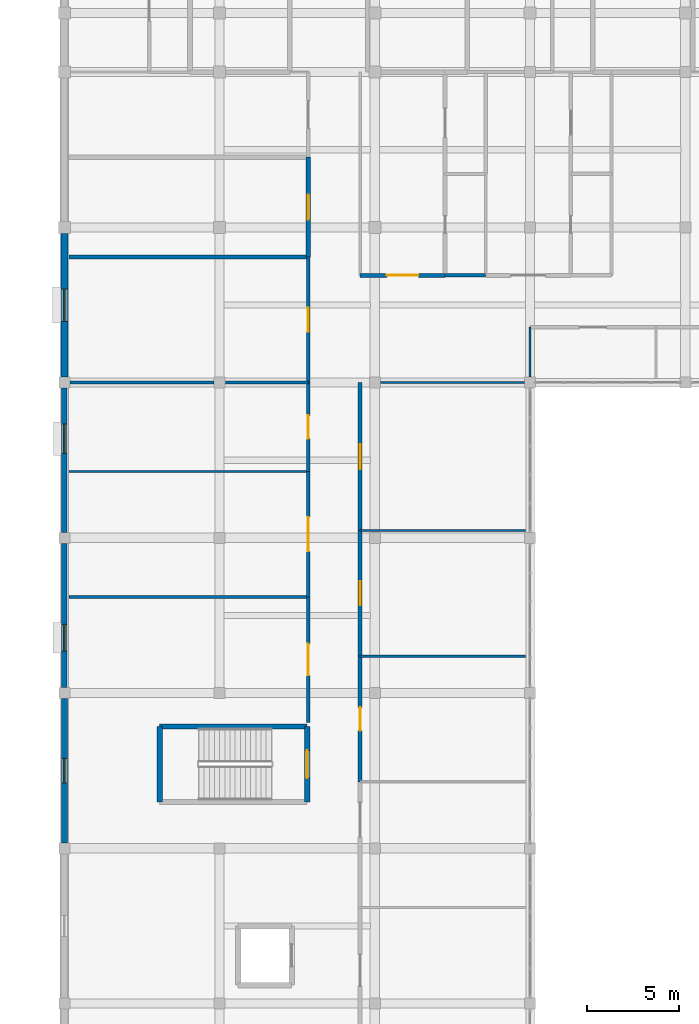
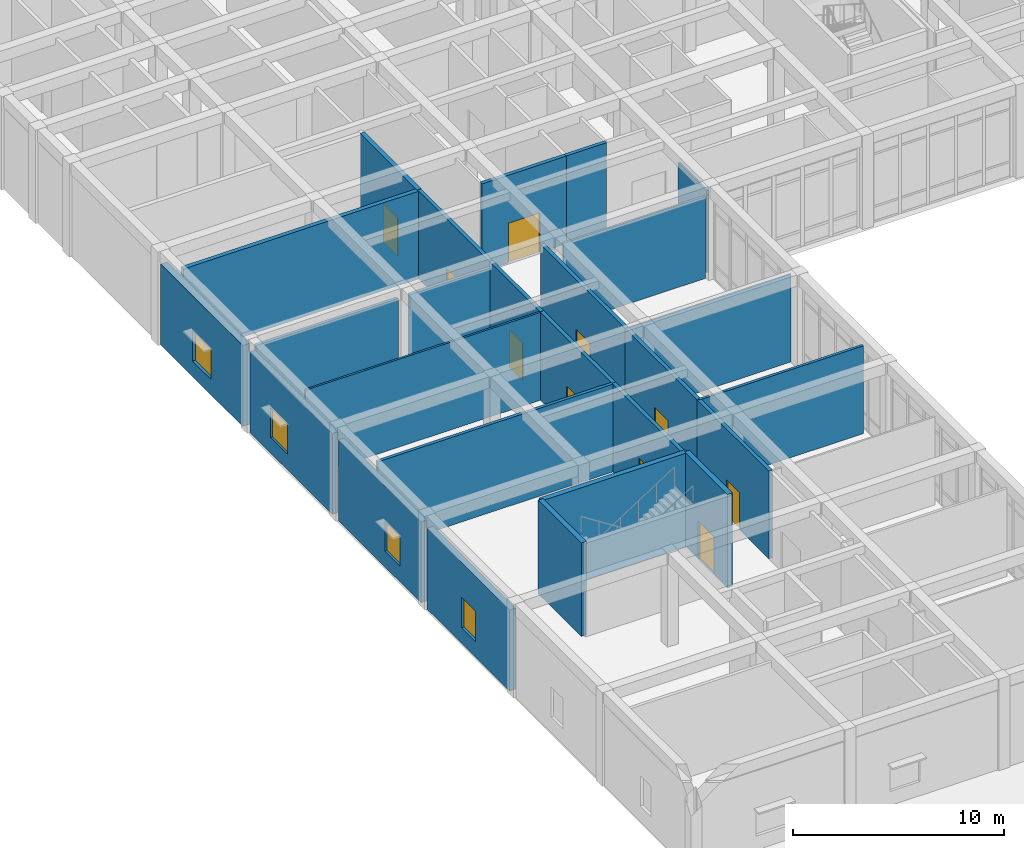
# One storey, part 54 of 89: 26 walls, 10 doors, 4 windows, 14 openings.
"""IFC4 building model written with IfcOpenShell, lengths in metres."""

from ifc_helpers import new_model, si_unit, direction, frame, frame_2d, origin, place, context, subcontext, project, spatial, rectangle, extrude, material, layer, layer_set, type_object, element, fill, save


model = new_model("IFC4")

# Units and contexts
model_context = context("Model", 3, precision=1e-05, world=origin(), true_north=direction((0.0, 1.0)))
body_context = subcontext(model_context, "Body", "Model", "MODEL_VIEW")
ifc_project = project(units=[si_unit("LENGTHUNIT", "METRE"), si_unit("AREAUNIT", "SQUARE_METRE"), si_unit("VOLUMEUNIT", "CUBIC_METRE"), si_unit("PLANEANGLEUNIT", "RADIAN"), si_unit("MASSUNIT", "GRAM", prefix="KILO")], contexts=[model_context])

# Site, building, storey
site_placement = place(None, origin())
site = spatial("IfcSite", under=ifc_project, at=site_placement, CompositionType="ELEMENT")
building_placement = place(site_placement, origin())
building = spatial("IfcBuilding", under=site, at=building_placement, Name="Varncliffe General Hospital", CompositionType="ELEMENT")
storey_placement = place(building_placement, frame((0.0, 0.0, 10.800048828125)))
storey = spatial("IfcBuildingStorey", under=building, at=storey_placement, Name="L02", CompositionType="ELEMENT", Elevation=10.800048828125)

# Wall, opening, window
ifc_material_1 = material(Name="Precast concrete C40/50 with insulated cream lime-cement stucco", Category="concrete")
ifc_layer_1 = layer(ifc_material_1, 0.31005859375)
ifc_layer_set_1 = layer_set([ifc_layer_1], Name="Precast concrete C40/50 with insulated cream lime-cement stucco")
wall_type_1 = type_object("IfcWallType", Name="Exterior Insulated Stucco Wall EW20 (310mm)", PredefinedType="SOLIDWALL", material=ifc_layer_set_1)
wall_1_placement = place(storey_placement, frame((0.0, 66.298095703125, 0.0), z_axis=(0.0, 0.0, 1.0), x_axis=(0.0, 1.0, 0.0)))
wall_1 = element("IfcWall", 1, at=wall_1_placement, inside=storey, type_object=wall_type_1, Name="L02 Exterior Stucco Wall EW20-227", PredefinedType="SOLIDWALL", context=body_context, shape_type="SweptSolid", body=[
    extrude(rectangle(XDim=7.803955078125, YDim=0.31005859375, at=frame_2d((3.90185546875, 0.0))), origin(), (0.0, 0.0, 1.0), 4.679931640625),
])
opening_1_placement = place(wall_1_placement, frame((1.97705078125, 0.0, 0.89990234375)))
opening_1 = element("IfcOpeningElement", 2, at=opening_1_placement, cuts=wall_1, Name="Opening WN88", PredefinedType="OPENING", context=body_context, shape_type="SweptSolid", body=[
    extrude(rectangle(XDim=1.449951171875, YDim=1.75, at=frame_2d((0.72509765625, 0.875))), frame((0.0, 0.1650390625, 0.0), z_axis=(0.0, -1.0, 0.0), x_axis=(1.0, 0.0, 0.0)), (0.0, 0.0, 1.0), 0.330078125),
])
ifc_material_2 = material(Name="Triple low-E argon insulated vision glazing", Category="glass")
window_type_1 = type_object("IfcWindowType", Name="Triple-Glazed Hospital Window WN88 (1450x1750)", PartitioningType="SINGLE_PANEL", PredefinedType="WINDOW", material=ifc_material_2)
window_1_placement = place(opening_1_placement, origin())
window_1 = element("IfcWindow", 3, at=window_1_placement, inside=storey, type_object=window_type_1, Name="L02 Hospital Window WN88-150", OverallHeight=1.75, OverallWidth=1.449951171875, PartitioningType="SINGLE_PANEL", PredefinedType="WINDOW", context=body_context, shape_type="SweptSolid", body=[
    extrude(rectangle(XDim=1.449951171875, YDim=1.75, at=frame_2d((0.72509765625, 0.875))), frame((0.0, 0.030029296875, 0.0), z_axis=(0.0, -1.0, 0.0), x_axis=(1.0, 0.0, 0.0)), (0.0, 0.0, 1.0), 0.06005859375),
])
fill(opening_1, window_1)

ifc_layer_2 = layer(ifc_material_1, 0.3798828125)
ifc_layer_set_2 = layer_set([ifc_layer_2], Name="Precast concrete C40/50 with insulated cream lime-cement stucco")
wall_type_2 = type_object("IfcWallType", Name="Exterior Insulated Stucco Wall EW26 (380mm)", PredefinedType="SOLIDWALL", material=ifc_layer_set_2)
wall_2_placement = place(storey_placement, frame((0.0, 83.097900390625, 0.0), z_axis=(0.0, 0.0, 1.0), x_axis=(0.0, 1.0, 0.0)))
wall_2 = element("IfcWall", 4, at=wall_2_placement, inside=storey, type_object=wall_type_2, Name="L02 Exterior Stucco Wall EW26-229", PredefinedType="SOLIDWALL", context=body_context, shape_type="SweptSolid", body=[
    extrude(rectangle(XDim=7.779052734375, YDim=0.3798828125, at=frame_2d((3.8896484375, 0.0))), origin(), (0.0, 0.0, 1.0), 4.679931640625),
])
opening_2_placement = place(wall_2_placement, frame((3.014404296875, 0.0, 0.89990234375)))
opening_2 = element("IfcOpeningElement", 5, at=opening_2_placement, cuts=wall_2, Name="Opening WN82", PredefinedType="OPENING", context=body_context, shape_type="SweptSolid", body=[
    extrude(rectangle(XDim=1.75, YDim=1.75, at=frame_2d((0.875, 0.875))), frame((0.0, 0.199951171875, 0.0), z_axis=(0.0, -1.0, 0.0), x_axis=(1.0, 0.0, 0.0)), (0.0, 0.0, 1.0), 0.39990234375),
])
window_type_2 = type_object("IfcWindowType", Name="Triple-Glazed Hospital Window WN82 (1750x1750)", PartitioningType="DOUBLE_PANEL_VERTICAL", PredefinedType="WINDOW", material=ifc_material_2)
window_2_placement = place(opening_2_placement, origin())
window_2 = element("IfcWindow", 6, at=window_2_placement, inside=storey, type_object=window_type_2, Name="L02 Hospital Window WN82-152", OverallHeight=1.75, OverallWidth=1.75, PartitioningType="DOUBLE_PANEL_VERTICAL", PredefinedType="WINDOW", context=body_context, shape_type="SweptSolid", body=[
    extrude(rectangle(XDim=1.75, YDim=1.75, at=frame_2d((0.875, 0.875))), frame((0.0, 0.030029296875, 0.0), z_axis=(0.0, -1.0, 0.0), x_axis=(1.0, 0.0, 0.0)), (0.0, 0.0, 1.0), 0.06005859375),
])
fill(opening_2, window_2)

ifc_layer_3 = layer(ifc_material_1, 0.2900390625)
ifc_layer_set_3 = layer_set([ifc_layer_3], Name="Precast concrete C40/50 with insulated cream lime-cement stucco")
wall_type_3 = type_object("IfcWallType", Name="Exterior Insulated Stucco Wall EW31 (290mm)", PredefinedType="SOLIDWALL", material=ifc_layer_set_3)
wall_3_placement = place(storey_placement, frame((0.0, 74.697998046875, 0.0), z_axis=(0.0, 0.0, 1.0), x_axis=(0.0, 1.0, 0.0)))
wall_3 = element("IfcWall", 7, at=wall_3_placement, inside=storey, type_object=wall_type_3, Name="L02 Exterior Stucco Wall EW31-228", PredefinedType="SOLIDWALL", context=body_context, shape_type="SweptSolid", body=[
    extrude(rectangle(XDim=7.803955078125, YDim=0.2900390625, at=frame_2d((3.90185546875, 0.0))), origin(), (0.0, 0.0, 1.0), 4.679931640625),
])
opening_3_placement = place(wall_3_placement, frame((4.268798828125, 0.0, 0.89990234375)))
opening_3 = element("IfcOpeningElement", 8, at=opening_3_placement, cuts=wall_3, Name="Opening WN87", PredefinedType="OPENING", context=body_context, shape_type="SweptSolid", body=[
    extrude(rectangle(XDim=1.60009765625, YDim=1.75, at=frame_2d((0.800048828125, 0.875))), frame((0.0, 0.155029296875, 0.0), z_axis=(0.0, -1.0, 0.0), x_axis=(1.0, 0.0, 0.0)), (0.0, 0.0, 1.0), 0.31005859375),
])
window_type_3 = type_object("IfcWindowType", Name="Triple-Glazed Hospital Window WN87 (1600x1750)", PartitioningType="DOUBLE_PANEL_VERTICAL", PredefinedType="WINDOW", material=ifc_material_2)
window_3_placement = place(opening_3_placement, origin())
window_3 = element("IfcWindow", 9, at=window_3_placement, inside=storey, type_object=window_type_3, Name="L02 Hospital Window WN87-151", OverallHeight=1.75, OverallWidth=1.60009765625, PartitioningType="DOUBLE_PANEL_VERTICAL", PredefinedType="WINDOW", context=body_context, shape_type="SweptSolid", body=[
    extrude(rectangle(XDim=1.60009765625, YDim=1.75, at=frame_2d((0.800048828125, 0.875))), frame((0.0, 0.030029296875, 0.0), z_axis=(0.0, -1.0, 0.0), x_axis=(1.0, 0.0, 0.0)), (0.0, 0.0, 1.0), 0.06005859375),
])
fill(opening_3, window_3)

ifc_layer_4 = layer(ifc_material_1, 0.330078125)
ifc_layer_set_4 = layer_set([ifc_layer_4], Name="Precast concrete C40/50 with insulated cream lime-cement stucco")
wall_type_4 = type_object("IfcWallType", Name="Exterior Insulated Stucco Wall EW33 (330mm)", PredefinedType="SOLIDWALL", material=ifc_layer_set_4)
wall_4_placement = place(storey_placement, frame((0.0, 57.89794921875, 0.0), z_axis=(0.0, 0.0, 1.0), x_axis=(0.0, 1.0, 0.0)))
wall_4 = element("IfcWall", 10, at=wall_4_placement, inside=storey, type_object=wall_type_4, Name="L02 Exterior Stucco Wall EW33-226", PredefinedType="SOLIDWALL", context=body_context, shape_type="SweptSolid", body=[
    extrude(rectangle(XDim=7.803955078125, YDim=0.330078125, at=frame_2d((3.90185546875, 0.0))), origin(), (0.0, 0.0, 1.0), 4.679931640625),
])
opening_4_placement = place(wall_4_placement, frame((3.251953125, 0.0, 0.89990234375)))
opening_4 = element("IfcOpeningElement", 11, at=opening_4_placement, cuts=wall_4, Name="Opening WN40", PredefinedType="OPENING", context=body_context, shape_type="SweptSolid", body=[
    extrude(rectangle(XDim=1.300048828125, YDim=1.75, at=frame_2d((0.64990234375, 0.875))), frame((0.0, 0.175048828125, 0.0), z_axis=(0.0, -1.0, 0.0), x_axis=(1.0, 0.0, 0.0)), (0.0, 0.0, 1.0), 0.35009765625),
])
window_type_4 = type_object("IfcWindowType", Name="Triple-Glazed Hospital Window WN40 (1300x1750)", PartitioningType="SINGLE_PANEL", PredefinedType="WINDOW", material=ifc_material_2)
window_4_placement = place(opening_4_placement, origin())
window_4 = element("IfcWindow", 12, at=window_4_placement, inside=storey, type_object=window_type_4, Name="L02 Hospital Window WN40-149", OverallHeight=1.75, OverallWidth=1.300048828125, PartitioningType="SINGLE_PANEL", PredefinedType="WINDOW", context=body_context, shape_type="SweptSolid", body=[
    extrude(rectangle(XDim=1.300048828125, YDim=1.75, at=frame_2d((0.64990234375, 0.875))), frame((0.0, 0.030029296875, 0.0), z_axis=(0.0, -1.0, 0.0), x_axis=(1.0, 0.0, 0.0)), (0.0, 0.0, 1.0), 0.06005859375),
])
fill(opening_4, window_4)

# Walls
ifc_material_3 = material(Name="Acoustic clinical gypsum stud partition assembly", Category="gypsum")
ifc_layer_5 = layer(ifc_material_3, 0.169921875)
ifc_layer_set_5 = layer_set([ifc_layer_5], Name="Acoustic clinical gypsum stud partition assembly")
wall_type_5 = type_object("IfcWallType", Name="Interior Partitioning IW20 (170mm)", PredefinedType="PARTITIONING", material=ifc_layer_set_5)
wall_5_placement = place(storey_placement, frame((0.260009765625, 71.199951171875, 0.0), z_axis=(0.0, 0.0, 1.0), x_axis=(1.0, 0.0, 0.0)))
element("IfcWall", 13, at=wall_5_placement, inside=storey, type_object=wall_type_5, Name="L02 Interior Partition Wall IW20-925", PredefinedType="PARTITIONING", context=body_context, shape_type="SweptSolid", body=[
    extrude(rectangle(XDim=12.93994140625, YDim=0.169921875, at=frame_2d((6.469970703125, 0.0))), origin(), (0.0, 0.0, 1.0), 5.070068359375),
])
wall_6_placement = place(storey_placement, frame((0.31494140625, 82.800048828125, 0.0), z_axis=(0.0, 0.0, 1.0), x_axis=(1.0, 0.0, 0.0)))
element("IfcWall", 14, at=wall_6_placement, inside=storey, type_object=wall_type_5, Name="L02 Interior Partition Wall IW20-945", PredefinedType="PARTITIONING", context=body_context, shape_type="SweptSolid", body=[
    extrude(rectangle(XDim=7.77001953125, YDim=0.169921875, at=frame_2d((3.885009765625, 0.0))), origin(), (0.0, 0.0, 1.0), 4.73486328125),
])
wall_7_placement = place(storey_placement, frame((8.715087890625, 82.800048828125, 0.0), z_axis=(0.0, 0.0, 1.0), x_axis=(1.0, 0.0, 0.0)))
element("IfcWall", 15, at=wall_7_placement, inside=storey, type_object=wall_type_5, Name="L02 Interior Partition Wall IW20-946", PredefinedType="PARTITIONING", context=body_context, shape_type="SweptSolid", body=[
    extrude(rectangle(XDim=4.48486328125, YDim=0.169921875, at=frame_2d((2.242431640625, 0.0))), origin(), (0.0, 0.0, 1.0), 4.73486328125),
])
ifc_layer_6 = layer(ifc_material_3, 0.14990234375)
ifc_layer_set_6 = layer_set([ifc_layer_6], Name="Acoustic clinical gypsum stud partition assembly")
wall_type_6 = type_object("IfcWallType", Name="Interior Partitioning IW35 (150mm)", PredefinedType="PARTITIONING", material=ifc_layer_set_6)
wall_8_placement = place(storey_placement, frame((16.0, 68.0, 0.0), z_axis=(0.0, 0.0, 1.0), x_axis=(1.0, 0.0, 0.0)))
element("IfcWall", 16, at=wall_8_placement, inside=storey, type_object=wall_type_6, Name="L02 Interior Partition Wall IW35-924", PredefinedType="PARTITIONING", context=body_context, shape_type="SweptSolid", body=[
    extrude(rectangle(XDim=8.93994140625, YDim=0.14990234375, at=frame_2d((4.469970703125, 0.0))), origin(), (0.0, 0.0, 1.0), 5.070068359375),
])
ifc_layer_7 = layer(ifc_material_3, 0.090087890625)
ifc_layer_set_7 = layer_set([ifc_layer_7], Name="Acoustic clinical gypsum stud partition assembly")
wall_type_7 = type_object("IfcWallType", Name="Interior Partitioning IW42 (90mm)", PredefinedType="PARTITIONING", material=ifc_layer_set_7)
wall_9_placement = place(storey_placement, frame((16.0, 74.800048828125, 0.0), z_axis=(0.0, 0.0, 1.0), x_axis=(1.0, 0.0, 0.0)))
element("IfcWall", 17, at=wall_9_placement, inside=storey, type_object=wall_type_7, Name="L02 Interior Partition Wall IW42-941", PredefinedType="PARTITIONING", context=body_context, shape_type="SweptSolid", body=[
    extrude(rectangle(XDim=8.93994140625, YDim=0.090087890625, at=frame_2d((4.469970703125, 0.0))), origin(), (0.0, 0.0, 1.0), 5.070068359375),
])
ifc_layer_8 = layer(ifc_material_3, 0.110107421875)
ifc_layer_set_8 = layer_set([ifc_layer_8], Name="Acoustic clinical gypsum stud partition assembly")
wall_type_8 = type_object("IfcWallType", Name="Interior Partitioning IW65 (110mm)", PredefinedType="PARTITIONING", material=ifc_layer_set_8)
wall_10_placement = place(storey_placement, frame((0.260009765625, 78.0, 0.0), z_axis=(0.0, 0.0, 1.0), x_axis=(1.0, 0.0, 0.0)))
element("IfcWall", 18, at=wall_10_placement, inside=storey, type_object=wall_type_8, Name="L02 Interior Partition Wall IW65-942", PredefinedType="PARTITIONING", context=body_context, shape_type="SweptSolid", body=[
    extrude(rectangle(XDim=12.93994140625, YDim=0.110107421875, at=frame_2d((6.469970703125, 0.0))), origin(), (0.0, 0.0, 1.0), 5.070068359375),
])
wall_11_placement = place(storey_placement, frame((17.114990234375, 82.800048828125, 0.0), z_axis=(0.0, 0.0, 1.0), x_axis=(1.0, 0.0, 0.0)))
element("IfcWall", 19, at=wall_11_placement, inside=storey, type_object=wall_type_8, Name="L02 Interior Partition Wall IW65-947", PredefinedType="PARTITIONING", context=body_context, shape_type="SweptSolid", body=[
    extrude(rectangle(XDim=7.77001953125, YDim=0.110107421875, at=frame_2d((3.885009765625, 0.0))), origin(), (0.0, 0.0, 1.0), 4.73486328125),
])
wall_12_placement = place(storey_placement, frame((25.199951171875, 83.114990234375, 0.0), z_axis=(0.0, 0.0, 1.0), x_axis=(0.0, 1.0, 0.0)))
element("IfcWall", 20, at=wall_12_placement, inside=storey, type_object=wall_type_8, Name="L02 Interior Partition Wall IW65-1152", PredefinedType="PARTITIONING", context=body_context, shape_type="SweptSolid", body=[
    extrude(rectangle(XDim=2.68505859375, YDim=0.110107421875, at=frame_2d((1.342529296875, 0.0))), origin(), (0.0, 0.0, 1.0), 4.73486328125),
])

# Wall, opening, door
ifc_material_4 = material(Name="Fire-rated gypsum and mineral-wool partition assembly", Category="gypsum")
ifc_layer_9 = layer(ifc_material_4, 0.25)
ifc_layer_set_9 = layer_set([ifc_layer_9], Name="Fire-rated gypsum and mineral-wool partition assembly")
wall_type_9 = type_object("IfcWallType", Name="Interior Partitioning PW38 (250mm)", PredefinedType="PARTITIONING", material=ifc_layer_set_9)
wall_13_placement = place(storey_placement, frame((13.199951171875, 89.60009765625, 0.0), z_axis=(0.0, 0.0, 1.0), x_axis=(0.0, 1.0, 0.0)))
wall_13 = element("IfcWall", 21, at=wall_13_placement, inside=storey, type_object=wall_type_9, Name="L02 Interior Partition Wall PW38-1135", PredefinedType="PARTITIONING", context=body_context, shape_type="SweptSolid", body=[
    extrude(rectangle(XDim=5.39990234375, YDim=0.25, at=frame_2d((2.699951171875, 0.0))), origin(), (0.0, 0.0, 1.0), 5.070068359375),
])
opening_5_placement = place(wall_13_placement, frame((2.02490234375, 0.0, 0.0)))
opening_5 = element("IfcOpeningElement", 22, at=opening_5_placement, cuts=wall_13, Name="Opening DC85", PredefinedType="OPENING", context=body_context, shape_type="SweptSolid", body=[
    extrude(rectangle(XDim=1.35009765625, YDim=2.199951171875, at=frame_2d((0.675048828125, 1.10009765625))), frame((0.0, 0.135009765625, 0.0), z_axis=(0.0, -1.0, 0.0), x_axis=(1.0, 0.0, 0.0)), (0.0, 0.0, 1.0), 0.27001953125),
])
ifc_material_5 = material(Name="Fire-rated hospital steel-frame vision-panel door", Category="steel")
door_type_1 = type_object("IfcDoorType", Name="Interior Hospital Door DC85 (1350x2200)", OperationType="NOTDEFINED", PredefinedType="DOOR", material=ifc_material_5)
door_1_placement = place(opening_5_placement, origin())
door_1 = element("IfcDoor", 23, at=door_1_placement, inside=storey, type_object=door_type_1, Name="L02 Surgical Sub-Sterile Utility Store 160 Door", OperationType="SINGLE_SWING_RIGHT", OverallHeight=2.199951171875, OverallWidth=1.35009765625, PredefinedType="DOOR", context=body_context, shape_type="SweptSolid", body=[
    extrude(rectangle(XDim=1.35009765625, YDim=2.199951171875, at=frame_2d((0.675048828125, 1.10009765625))), frame((0.0, 0.02490234375, 0.0), z_axis=(0.0, -1.0, 0.0), x_axis=(1.0, 0.0, 0.0)), (0.0, 0.0, 1.0), 0.050048828125),
])
fill(opening_5, door_1)

# Wall
ifc_layer_10 = layer(ifc_material_4, 0.22998046875)
ifc_layer_set_10 = layer_set([ifc_layer_10], Name="Fire-rated gypsum and mineral-wool partition assembly")
wall_type_10 = type_object("IfcWallType", Name="Interior Partitioning PW48 (230mm)", PredefinedType="PARTITIONING", material=ifc_layer_set_10)
wall_14_placement = place(storey_placement, frame((0.260009765625, 89.60009765625, 0.0), z_axis=(0.0, 0.0, 1.0), x_axis=(1.0, 0.0, 0.0)))
element("IfcWall", 24, at=wall_14_placement, inside=storey, type_object=wall_type_10, Name="L02 Interior Partition Wall PW48-982", PredefinedType="PARTITIONING", context=body_context, shape_type="SweptSolid", body=[
    extrude(rectangle(XDim=12.93994140625, YDim=0.22998046875, at=frame_2d((6.469970703125, 0.0))), origin(), (0.0, 0.0, 1.0), 5.070068359375),
])

# Wall, opening, door
ifc_layer_11 = layer(ifc_material_4, 0.199951171875)
ifc_layer_set_11 = layer_set([ifc_layer_11], Name="Fire-rated gypsum and mineral-wool partition assembly")
wall_type_11 = type_object("IfcWallType", Name="Interior Partitioning PW63 (200mm)", PredefinedType="PARTITIONING", material=ifc_layer_set_11)
wall_15_placement = place(storey_placement, frame((16.0, 88.60009765625, 0.0), z_axis=(0.0, 0.0, 1.0), x_axis=(1.0, 0.0, 0.0)))
wall_15 = element("IfcWall", 25, at=wall_15_placement, inside=storey, type_object=wall_type_11, Name="L02 Interior Partition Wall PW63-967", PredefinedType="PARTITIONING", context=body_context, shape_type="SweptSolid", body=[
    extrude(rectangle(XDim=4.60009765625, YDim=0.199951171875, at=frame_2d((2.300048828125, 0.0))), origin(), (0.0, 0.0, 1.0), 5.070068359375),
])
opening_6_placement = place(wall_15_placement, frame((1.449951171875, 0.0, 0.0)))
opening_6 = element("IfcOpeningElement", 26, at=opening_6_placement, cuts=wall_15, Name="Opening DC50", PredefinedType="OPENING", context=body_context, shape_type="SweptSolid", body=[
    extrude(rectangle(XDim=1.699951171875, YDim=2.300048828125, at=frame_2d((0.85009765625, 1.14990234375))), frame((0.0, 0.10986328125, 0.0), z_axis=(0.0, -1.0, 0.0), x_axis=(1.0, 0.0, 0.0)), (0.0, 0.0, 1.0), 0.219970703125),
])
door_type_2 = type_object("IfcDoorType", Name="Interior Hospital Door DC50 (1700x2300)", OperationType="NOTDEFINED", PredefinedType="DOOR", material=ifc_material_5)
door_2_placement = place(opening_6_placement, origin())
door_2 = element("IfcDoor", 27, at=door_2_placement, inside=storey, type_object=door_type_2, Name="L02 Adult Intensive Care Unit Bay 51 Door", OperationType="SINGLE_SWING_RIGHT", OverallHeight=2.300048828125, OverallWidth=1.699951171875, PredefinedType="DOOR", context=body_context, shape_type="SweptSolid", body=[
    extrude(rectangle(XDim=1.699951171875, YDim=2.300048828125, at=frame_2d((0.85009765625, 1.14990234375))), frame((0.0, 0.02490234375, 0.0), z_axis=(0.0, -1.0, 0.0), x_axis=(1.0, 0.0, 0.0)), (0.0, 0.0, 1.0), 0.050048828125),
])
fill(opening_6, door_2)

wall_16_placement = place(storey_placement, frame((13.199951171875, 64.422119140625, 0.0), z_axis=(0.0, 0.0, 1.0), x_axis=(0.0, 1.0, 0.0)))
wall_16 = element("IfcWall", 28, at=wall_16_placement, inside=storey, type_object=wall_type_11, Name="L02 Interior Partition Wall PW63-1131", PredefinedType="PARTITIONING", context=body_context, shape_type="SweptSolid", body=[
    extrude(rectangle(XDim=6.77783203125, YDim=0.199951171875, at=frame_2d((3.388916015625, 0.0))), origin(), (0.0, 0.0, 1.0), 5.070068359375),
])
opening_7_placement = place(wall_16_placement, frame((2.5390625, 0.0, 0.0)))
opening_7 = element("IfcOpeningElement", 29, at=opening_7_placement, cuts=wall_16, Name="Opening DC50", PredefinedType="OPENING", context=body_context, shape_type="SweptSolid", body=[
    extrude(rectangle(XDim=1.699951171875, YDim=2.300048828125, at=frame_2d((0.85009765625, 1.14990234375))), frame((0.0, 0.10986328125, 0.0), z_axis=(0.0, -1.0, 0.0), x_axis=(1.0, 0.0, 0.0)), (0.0, 0.0, 1.0), 0.219970703125),
])
door_3_placement = place(opening_7_placement, origin())
door_3 = element("IfcDoor", 30, at=door_3_placement, inside=storey, type_object=door_type_2, Name="L02 Coronary Intensive Care Unit Bay 37 Door", OperationType="SINGLE_SWING_RIGHT", OverallHeight=2.300048828125, OverallWidth=1.699951171875, PredefinedType="DOOR", context=body_context, shape_type="SweptSolid", body=[
    extrude(rectangle(XDim=1.699951171875, YDim=2.300048828125, at=frame_2d((0.85009765625, 1.14990234375))), frame((0.0, 0.02490234375, 0.0), z_axis=(0.0, -1.0, 0.0), x_axis=(1.0, 0.0, 0.0)), (0.0, 0.0, 1.0), 0.050048828125),
])
fill(opening_7, door_3)

wall_17_placement = place(storey_placement, frame((13.199951171875, 71.199951171875, 0.0), z_axis=(0.0, 0.0, 1.0), x_axis=(0.0, 1.0, 0.0)))
wall_17 = element("IfcWall", 31, at=wall_17_placement, inside=storey, type_object=wall_type_11, Name="L02 Interior Partition Wall PW63-1132", PredefinedType="PARTITIONING", context=body_context, shape_type="SweptSolid", body=[
    extrude(rectangle(XDim=6.800048828125, YDim=0.199951171875, at=frame_2d((3.39990234375, 0.0))), origin(), (0.0, 0.0, 1.0), 5.070068359375),
])
opening_8_placement = place(wall_17_placement, frame((2.47509765625, 0.0, 0.0)))
opening_8 = element("IfcOpeningElement", 32, at=opening_8_placement, cuts=wall_17, Name="Opening DC38", PredefinedType="OPENING", context=body_context, shape_type="SweptSolid", body=[
    extrude(rectangle(XDim=1.85009765625, YDim=2.300048828125, at=frame_2d((0.925048828125, 1.14990234375))), frame((0.0, 0.10986328125, 0.0), z_axis=(0.0, -1.0, 0.0), x_axis=(1.0, 0.0, 0.0)), (0.0, 0.0, 1.0), 0.219970703125),
])
door_type_3 = type_object("IfcDoorType", Name="Interior Hospital Door DC38 (1850x2300)", OperationType="NOTDEFINED", PredefinedType="DOOR", material=ifc_material_5)
door_4_placement = place(opening_8_placement, origin())
door_4 = element("IfcDoor", 33, at=door_4_placement, inside=storey, type_object=door_type_3, Name="L02 Adult Intensive Care Unit Bay 38 Door", OperationType="SINGLE_SWING_LEFT", OverallHeight=2.300048828125, OverallWidth=1.85009765625, PredefinedType="DOOR", context=body_context, shape_type="SweptSolid", body=[
    extrude(rectangle(XDim=1.85009765625, YDim=2.300048828125, at=frame_2d((0.925048828125, 1.14990234375))), frame((0.0, 0.02490234375, 0.0), z_axis=(0.0, -1.0, 0.0), x_axis=(1.0, 0.0, 0.0)), (0.0, 0.0, 1.0), 0.050048828125),
])
fill(opening_8, door_4)

wall_18_placement = place(storey_placement, frame((13.199951171875, 78.0, 0.0), z_axis=(0.0, 0.0, 1.0), x_axis=(0.0, 1.0, 0.0)))
wall_18 = element("IfcWall", 34, at=wall_18_placement, inside=storey, type_object=wall_type_11, Name="L02 Interior Partition Wall PW63-1133", PredefinedType="PARTITIONING", context=body_context, shape_type="SweptSolid", body=[
    extrude(rectangle(XDim=4.800048828125, YDim=0.199951171875, at=frame_2d((2.39990234375, 0.0))), origin(), (0.0, 0.0, 1.0), 5.070068359375),
])
opening_9_placement = place(wall_18_placement, frame((1.77490234375, 0.0, 0.0)))
opening_9 = element("IfcOpeningElement", 35, at=opening_9_placement, cuts=wall_18, Name="Opening DC44", PredefinedType="OPENING", context=body_context, shape_type="SweptSolid", body=[
    extrude(rectangle(XDim=1.25, YDim=2.14990234375, at=frame_2d((0.625, 1.074951171875))), frame((0.0, 0.10986328125, 0.0), z_axis=(0.0, -1.0, 0.0), x_axis=(1.0, 0.0, 0.0)), (0.0, 0.0, 1.0), 0.219970703125),
])
door_type_4 = type_object("IfcDoorType", Name="Interior Hospital Door DC44 (1250x2150)", OperationType="NOTDEFINED", PredefinedType="DOOR", material=ifc_material_5)
door_5_placement = place(opening_9_placement, origin())
door_5 = element("IfcDoor", 36, at=door_5_placement, inside=storey, type_object=door_type_4, Name="L02 Coronary Intensive Care Unit Bay 39 Door", OperationType="SINGLE_SWING_RIGHT", OverallHeight=2.14990234375, OverallWidth=1.25, PredefinedType="DOOR", context=body_context, shape_type="SweptSolid", body=[
    extrude(rectangle(XDim=1.25, YDim=2.14990234375, at=frame_2d((0.625, 1.074951171875))), frame((0.0, 0.02490234375, 0.0), z_axis=(0.0, -1.0, 0.0), x_axis=(1.0, 0.0, 0.0)), (0.0, 0.0, 1.0), 0.050048828125),
])
fill(opening_9, door_5)

wall_19_placement = place(storey_placement, frame((13.199951171875, 82.800048828125, 0.0), z_axis=(0.0, 0.0, 1.0), x_axis=(0.0, 1.0, 0.0)))
wall_19 = element("IfcWall", 37, at=wall_19_placement, inside=storey, type_object=wall_type_11, Name="L02 Interior Partition Wall PW63-1134", PredefinedType="PARTITIONING", context=body_context, shape_type="SweptSolid", body=[
    extrude(rectangle(XDim=6.800048828125, YDim=0.199951171875, at=frame_2d((3.39990234375, 0.0))), origin(), (0.0, 0.0, 1.0), 5.070068359375),
])
opening_10_placement = place(wall_19_placement, frame((2.75, 0.0, 0.0)))
opening_10 = element("IfcOpeningElement", 38, at=opening_10_placement, cuts=wall_19, Name="Opening DC88", PredefinedType="OPENING", context=body_context, shape_type="SweptSolid", body=[
    extrude(rectangle(XDim=1.300048828125, YDim=2.199951171875, at=frame_2d((0.64990234375, 1.10009765625))), frame((0.0, 0.10986328125, 0.0), z_axis=(0.0, -1.0, 0.0), x_axis=(1.0, 0.0, 0.0)), (0.0, 0.0, 1.0), 0.219970703125),
])
door_type_5 = type_object("IfcDoorType", Name="Interior Hospital Door DC88 (1300x2200)", OperationType="NOTDEFINED", PredefinedType="DOOR", material=ifc_material_5)
door_6_placement = place(opening_10_placement, origin())
door_6 = element("IfcDoor", 39, at=door_6_placement, inside=storey, type_object=door_type_5, Name="L02 Surgical Inpatient Ward Room 159 Door", OperationType="SINGLE_SWING_LEFT", OverallHeight=2.199951171875, OverallWidth=1.300048828125, PredefinedType="DOOR", context=body_context, shape_type="SweptSolid", body=[
    extrude(rectangle(XDim=1.300048828125, YDim=2.199951171875, at=frame_2d((0.64990234375, 1.10009765625))), frame((0.0, 0.02490234375, 0.0), z_axis=(0.0, -1.0, 0.0), x_axis=(1.0, 0.0, 0.0)), (0.0, 0.0, 1.0), 0.050048828125),
])
fill(opening_10, door_6)

wall_20_placement = place(storey_placement, frame((16.0, 61.199951171875, 0.0), z_axis=(0.0, 0.0, 1.0), x_axis=(0.0, 1.0, 0.0)))
wall_20 = element("IfcWall", 40, at=wall_20_placement, inside=storey, type_object=wall_type_11, Name="L02 Interior Partition Wall PW63-1140", PredefinedType="PARTITIONING", context=body_context, shape_type="SweptSolid", body=[
    extrude(rectangle(XDim=6.800048828125, YDim=0.199951171875, at=frame_2d((3.39990234375, 0.0))), origin(), (0.0, 0.0, 1.0), 5.070068359375),
])
opening_11_placement = place(wall_20_placement, frame((2.77490234375, 0.0, 0.0)))
opening_11 = element("IfcOpeningElement", 41, at=opening_11_placement, cuts=wall_20, Name="Opening DC44", PredefinedType="OPENING", context=body_context, shape_type="SweptSolid", body=[
    extrude(rectangle(XDim=1.25, YDim=2.14990234375, at=frame_2d((0.625, 1.074951171875))), frame((0.0, 0.10986328125, 0.0), z_axis=(0.0, -1.0, 0.0), x_axis=(1.0, 0.0, 0.0)), (0.0, 0.0, 1.0), 0.219970703125),
])
door_7_placement = place(opening_11_placement, frame((1.25, 0.0, 0.0), z_axis=(0.0, 0.0, 1.0), x_axis=(-1.0, 0.0, 0.0)))
door_7 = element("IfcDoor", 42, at=door_7_placement, inside=storey, type_object=door_type_4, Name="L02 Coronary Intensive Care Unit Bay 43 Door", OperationType="SINGLE_SWING_LEFT", OverallHeight=2.14990234375, OverallWidth=1.25, PredefinedType="DOOR", context=body_context, shape_type="SweptSolid", body=[
    extrude(rectangle(XDim=1.25, YDim=2.14990234375, at=frame_2d((0.625, 1.074951171875))), frame((0.0, 0.02490234375, 0.0), z_axis=(0.0, -1.0, 0.0), x_axis=(1.0, 0.0, 0.0)), (0.0, 0.0, 1.0), 0.050048828125),
])
fill(opening_11, door_7)

wall_21_placement = place(storey_placement, frame((16.0, 68.0, 0.0), z_axis=(0.0, 0.0, 1.0), x_axis=(0.0, 1.0, 0.0)))
wall_21 = element("IfcWall", 43, at=wall_21_placement, inside=storey, type_object=wall_type_11, Name="L02 Interior Partition Wall PW63-1141", PredefinedType="PARTITIONING", context=body_context, shape_type="SweptSolid", body=[
    extrude(rectangle(XDim=6.800048828125, YDim=0.199951171875, at=frame_2d((3.39990234375, 0.0))), origin(), (0.0, 0.0, 1.0), 5.070068359375),
])
opening_12_placement = place(wall_21_placement, frame((2.75, 0.0, 0.0)))
opening_12 = element("IfcOpeningElement", 44, at=opening_12_placement, cuts=wall_21, Name="Opening DC88", PredefinedType="OPENING", context=body_context, shape_type="SweptSolid", body=[
    extrude(rectangle(XDim=1.300048828125, YDim=2.199951171875, at=frame_2d((0.64990234375, 1.10009765625))), frame((0.0, 0.10986328125, 0.0), z_axis=(0.0, -1.0, 0.0), x_axis=(1.0, 0.0, 0.0)), (0.0, 0.0, 1.0), 0.219970703125),
])
door_8_placement = place(opening_12_placement, frame((1.300048828125, 0.0, 0.0), z_axis=(0.0, 0.0, 1.0), x_axis=(-1.0, 0.0, 0.0)))
door_8 = element("IfcDoor", 45, at=door_8_placement, inside=storey, type_object=door_type_5, Name="L02 Adult Intensive Care Unit Bay 44 Door", OperationType="SINGLE_SWING_RIGHT", OverallHeight=2.199951171875, OverallWidth=1.300048828125, PredefinedType="DOOR", context=body_context, shape_type="SweptSolid", body=[
    extrude(rectangle(XDim=1.300048828125, YDim=2.199951171875, at=frame_2d((0.64990234375, 1.10009765625))), frame((0.0, 0.02490234375, 0.0), z_axis=(0.0, -1.0, 0.0), x_axis=(1.0, 0.0, 0.0)), (0.0, 0.0, 1.0), 0.050048828125),
])
fill(opening_12, door_8)

wall_22_placement = place(storey_placement, frame((16.0, 74.800048828125, 0.0), z_axis=(0.0, 0.0, 1.0), x_axis=(0.0, 1.0, 0.0)))
wall_22 = element("IfcWall", 46, at=wall_22_placement, inside=storey, type_object=wall_type_11, Name="L02 Interior Partition Wall PW63-1142", PredefinedType="PARTITIONING", context=body_context, shape_type="SweptSolid", body=[
    extrude(rectangle(XDim=8.0, YDim=0.199951171875, at=frame_2d((4.0, 0.0))), origin(), (0.0, 0.0, 1.0), 5.070068359375),
])
opening_13_placement = place(wall_22_placement, frame((3.324951171875, 0.0, 0.0)))
opening_13 = element("IfcOpeningElement", 47, at=opening_13_placement, cuts=wall_22, Name="Opening DC85", PredefinedType="OPENING", context=body_context, shape_type="SweptSolid", body=[
    extrude(rectangle(XDim=1.35009765625, YDim=2.199951171875, at=frame_2d((0.675048828125, 1.10009765625))), frame((0.0, 0.10986328125, 0.0), z_axis=(0.0, -1.0, 0.0), x_axis=(1.0, 0.0, 0.0)), (0.0, 0.0, 1.0), 0.219970703125),
])
door_9_placement = place(opening_13_placement, frame((1.35009765625, 0.0, 0.0), z_axis=(0.0, 0.0, 1.0), x_axis=(-1.0, 0.0, 0.0)))
door_9 = element("IfcDoor", 48, at=door_9_placement, inside=storey, type_object=door_type_1, Name="L02 Coronary Intensive Care Unit Bay 45 Door", OperationType="SINGLE_SWING_LEFT", OverallHeight=2.199951171875, OverallWidth=1.35009765625, PredefinedType="DOOR", context=body_context, shape_type="SweptSolid", body=[
    extrude(rectangle(XDim=1.35009765625, YDim=2.199951171875, at=frame_2d((0.675048828125, 1.10009765625))), frame((0.0, 0.02490234375, 0.0), z_axis=(0.0, -1.0, 0.0), x_axis=(1.0, 0.0, 0.0)), (0.0, 0.0, 1.0), 0.050048828125),
])
fill(opening_13, door_9)

# Walls
ifc_material_6 = material(Name="Moisture-resistant plumbing chase wall assembly", Category="gypsum")
ifc_layer_12 = layer(ifc_material_6, 0.18994140625)
ifc_layer_set_12 = layer_set([ifc_layer_12], Name="Moisture-resistant plumbing chase wall assembly")
wall_type_12 = type_object("IfcWallType", Name="Interior Plumbingwall MW17 (190mm)", PredefinedType="PLUMBINGWALL", material=ifc_layer_set_12)
wall_23_placement = place(storey_placement, frame((20.60009765625, 88.60009765625, 0.0), z_axis=(0.0, 0.0, 1.0), x_axis=(1.0, 0.0, 0.0)))
element("IfcWall", 49, at=wall_23_placement, inside=storey, type_object=wall_type_12, Name="L02 Interior Plumbing Wall MW17-968", PredefinedType="PLUMBINGWALL", context=body_context, shape_type="SweptSolid", body=[
    extrude(rectangle(XDim=2.199951171875, YDim=0.18994140625, at=frame_2d((1.10009765625, 0.0))), origin(), (0.0, 0.0, 1.0), 5.070068359375),
])
ifc_material_7 = material(Name="Concrete C40/50 (CSA A23.1 40 MPa)", Category="concrete")
ifc_layer_13 = layer(ifc_material_7, 0.280029296875)
ifc_layer_set_13 = layer_set([ifc_layer_13], Name="Concrete C40/50 (CSA A23.1 40 MPa)")
wall_type_13 = type_object("IfcWallType", Name="Reinforced Concrete Core Shear Wall CW13 (280mm)", PredefinedType="SHEAR", material=ifc_layer_set_13)
wall_24_placement = place(storey_placement, frame((13.139892578125, 64.18994140625, 0.0), z_axis=(0.0, 0.0, 1.0), x_axis=(-1.0, 0.0, 0.0)))
element("IfcWall", 50, at=wall_24_placement, inside=storey, type_object=wall_type_13, Name="L02 ST05 Core Shear Wall L", PredefinedType="SHEAR", context=body_context, shape_type="SweptSolid", body=[
    extrude(rectangle(XDim=7.97998046875, YDim=0.280029296875, at=frame_2d((3.989990234375, 0.0))), origin(), (0.0, 0.0, 1.0), 5.39990234375),
])
wall_25_placement = place(storey_placement, frame((5.159912109375, 64.18994140625, 0.0), z_axis=(0.0, 0.0, 1.0), x_axis=(0.0, -1.0, 0.0)))
element("IfcWall", 51, at=wall_25_placement, inside=storey, type_object=wall_type_13, Name="L02 ST05 Core Shear Wall F", PredefinedType="SHEAR", context=body_context, shape_type="SweptSolid", body=[
    extrude(rectangle(XDim=4.079833984375, YDim=0.280029296875, at=frame_2d((2.0400390625, 0.0))), origin(), (0.0, 0.0, 1.0), 5.39990234375),
])

# Wall, opening, door
wall_26_placement = place(storey_placement, frame((13.139892578125, 60.110107421875, 0.0), z_axis=(0.0, 0.0, 1.0), x_axis=(0.0, 1.0, 0.0)))
wall_26 = element("IfcWall", 52, at=wall_26_placement, inside=storey, type_object=wall_type_13, Name="L02 ST05 Core Shear Wall N", PredefinedType="SHEAR", context=body_context, shape_type="SweptSolid", body=[
    extrude(rectangle(XDim=4.079833984375, YDim=0.280029296875, at=frame_2d((2.0400390625, 0.0))), origin(), (0.0, 0.0, 1.0), 5.39990234375),
])
opening_14_placement = place(wall_26_placement, frame((1.2900390625, 0.0, 0.0)))
opening_14 = element("IfcOpeningElement", 53, at=opening_14_placement, cuts=wall_26, Name="Opening DF28", PredefinedType="OPENING", context=body_context, shape_type="SweptSolid", body=[
    extrude(rectangle(XDim=1.5, YDim=2.199951171875, at=frame_2d((0.75, 1.10009765625))), frame((0.0, 0.14990234375, 0.0), z_axis=(0.0, -1.0, 0.0), x_axis=(1.0, 0.0, 0.0)), (0.0, 0.0, 1.0), 0.300048828125),
])
door_type_6 = type_object("IfcDoorType", Name="Interior Hospital Door DF28 (1500x2200)", OperationType="NOTDEFINED", PredefinedType="DOOR", material=ifc_material_5)
door_10_placement = place(opening_14_placement, frame((1.5, 0.0, 0.0), z_axis=(0.0, 0.0, 1.0), x_axis=(-1.0, 0.0, 0.0)))
door_10 = element("IfcDoor", 54, at=door_10_placement, inside=storey, type_object=door_type_6, Name="L02 ST05 Protected Exit Stair Door", OperationType="SINGLE_SWING_RIGHT", OverallHeight=2.199951171875, OverallWidth=1.5, PredefinedType="DOOR", context=body_context, shape_type="SweptSolid", body=[
    extrude(rectangle(XDim=1.5, YDim=2.199951171875, at=frame_2d((0.75, 1.10009765625))), frame((0.0, 0.02490234375, 0.0), z_axis=(0.0, -1.0, 0.0), x_axis=(1.0, 0.0, 0.0)), (0.0, 0.0, 1.0), 0.050048828125),
])
fill(opening_14, door_10)

save(model, "model.ifc")
